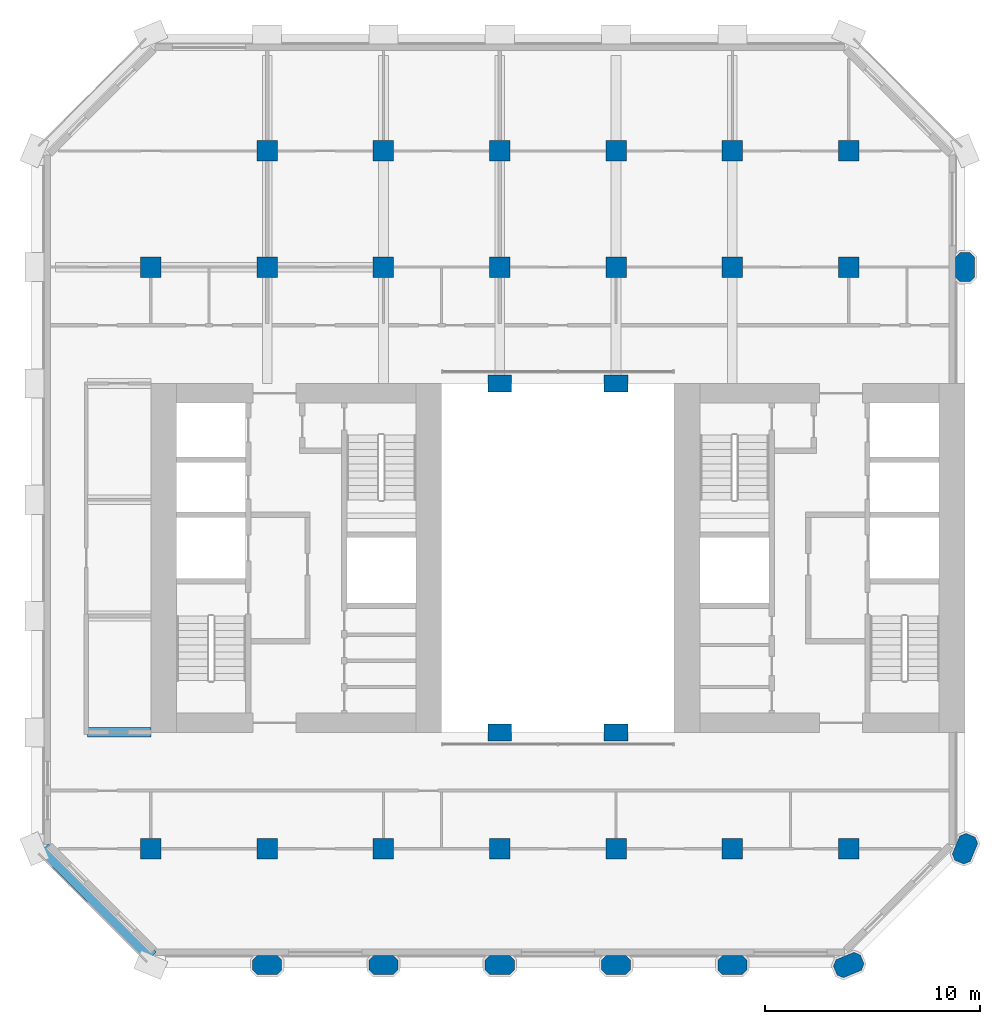
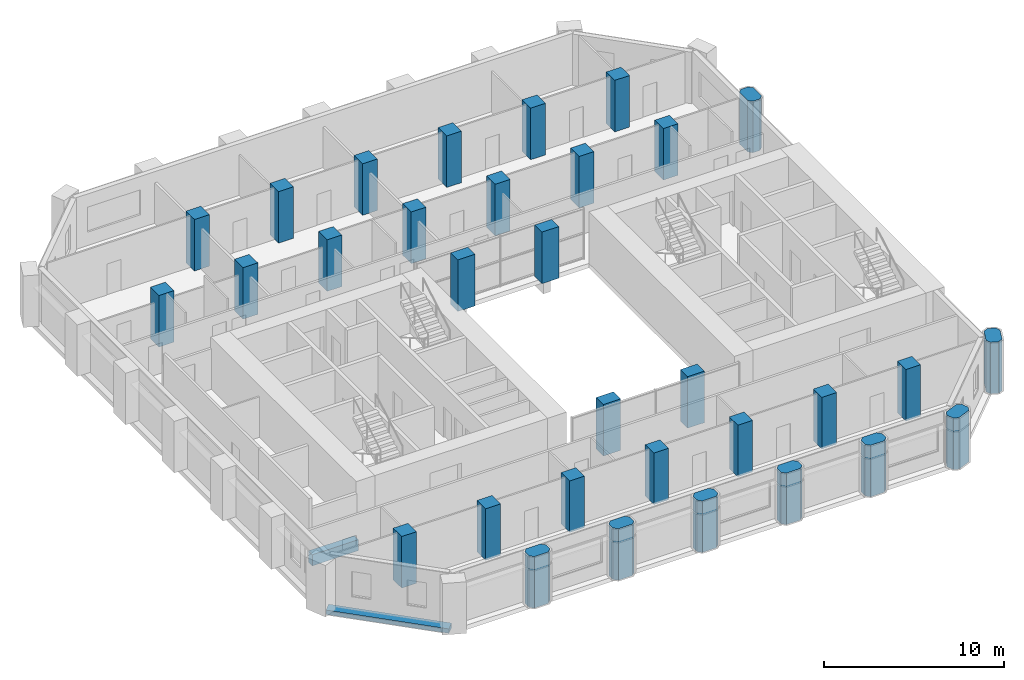
# One storey, part 1 of 12: 32 columns, 2 beams.
"""IFC4 building model written with IfcOpenShell, lengths in metres."""

from ifc_helpers import new_model, si_unit, direction, frame, origin, origin_2d, place, context, subcontext, project, spatial, polyline, rectangle, outline, extrude, material, material_profile, profile_set, type_object, element, save


model = new_model("IFC4")

# Units and contexts
model_context = context("Model", 3, precision=1e-05, world=origin(), true_north=direction((0.0, 1.0)))
body_context = subcontext(model_context, "Body", "Model", "MODEL_VIEW")
ifc_project = project(units=[si_unit("LENGTHUNIT", "METRE"), si_unit("AREAUNIT", "SQUARE_METRE"), si_unit("VOLUMEUNIT", "CUBIC_METRE"), si_unit("PLANEANGLEUNIT", "RADIAN"), si_unit("MASSUNIT", "GRAM", prefix="KILO")], contexts=[model_context])

# Site, building, storey
site_placement = place(None, origin())
site = spatial("IfcSite", under=ifc_project, at=site_placement, CompositionType="ELEMENT")
building_placement = place(site_placement, origin())
building = spatial("IfcBuilding", under=site, at=building_placement, Name="Tabaq Tower and Sports Hall", CompositionType="ELEMENT")
storey_placement = place(building_placement, frame((0.0, 0.0, 99.199951171875)))
storey = spatial("IfcBuildingStorey", under=building, at=storey_placement, Name="L23", CompositionType="ELEMENT", Elevation=99.199951171875)

# Columns
ifc_material_1 = material(Name="Concrete C60/75", Category="concrete")
ifc_material_profile_1 = material_profile(ifc_material_1, rectangle(XDim=1.10009765625, YDim=0.800048828125, at=origin_2d()), Name="ATRIUM COLUMN 1100x800")
ifc_profile_set_1 = profile_set([ifc_material_profile_1], Name="Concrete C60/75")
column_type_1 = type_object("IfcColumnType", Name="RC COLUMN ATRIUM COLUMN 1100x800 C60/75", PredefinedType="COLUMN", material=ifc_profile_set_1)
for number, where, z_axis, x_axis, name in (
    (1, (21.60009765625, 16.199951171875, 0.0), (0.0, 0.0, 1.0), (1.0, 0.0, 0.0), "Atrium Column 5/D L23"),
    (2, (27.0, 16.199951171875, 0.0), (0.0, 0.0, 1.0), (1.0, 0.0, 0.0), "Atrium Column 6/D L23"),
    (3, (21.60009765625, 32.39990234375, 0.0), (0.0, 0.0, 1.0), (1.0, 0.0, 0.0), "Atrium Column 5/G L23"),
    (4, (27.0, 32.39990234375, 0.0), (0.0, 0.0, 1.0), (1.0, 0.0, 0.0), "Atrium Column 6/G L23"),
):
    element("IfcColumn", number, at=place(storey_placement, frame(where, z_axis=z_axis, x_axis=x_axis)), inside=storey, type_object=column_type_1, Name=name, PredefinedType="COLUMN", context=body_context, shape_type="SweptSolid", body=[
        extrude(rectangle(XDim=1.10009765625, YDim=0.800048828125, at=origin_2d()), origin(), (0.0, 0.0, 1.0), 3.5),
    ])
ifc_material_2 = material(Name="Concrete C60/75", Category="concrete")
ifc_material_profile_2 = material_profile(ifc_material_2, rectangle(XDim=0.949951171875, YDim=0.949951171875, at=origin_2d()), Name="COLUMN 950x950")
ifc_profile_set_2 = profile_set([ifc_material_profile_2], Name="Concrete C60/75")
column_type_2 = type_object("IfcColumnType", Name="RC COLUMN COLUMN 950x950 C60/75", PredefinedType="COLUMN", material=ifc_profile_set_2)
for number, where, z_axis, x_axis, name in (
    (5, (5.39990234375, 10.800048828125, 0.0), (0.0, 0.0, 1.0), (1.0, 0.0, 0.0), "Column 2/C L23"),
    (6, (10.800048828125, 10.800048828125, 0.0), (0.0, 0.0, 1.0), (1.0, 0.0, 0.0), "Column 3/C L23"),
    (7, (16.199951171875, 10.800048828125, 0.0), (0.0, 0.0, 1.0), (1.0, 0.0, 0.0), "Column 4/C L23"),
    (8, (21.60009765625, 10.800048828125, 0.0), (0.0, 0.0, 1.0), (1.0, 0.0, 0.0), "Column 5/C L23"),
    (9, (27.0, 10.800048828125, 0.0), (0.0, 0.0, 1.0), (1.0, 0.0, 0.0), "Column 6/C L23"),
    (10, (32.39990234375, 10.800048828125, 0.0), (0.0, 0.0, 1.0), (1.0, 0.0, 0.0), "Column 7/C L23"),
    (11, (37.800048828125, 10.800048828125, 0.0), (0.0, 0.0, 1.0), (1.0, 0.0, 0.0), "Column 8/C L23"),
    (12, (5.39990234375, 37.800048828125, 0.0), (0.0, 0.0, 1.0), (1.0, 0.0, 0.0), "Column 2/H L23"),
    (13, (10.800048828125, 37.800048828125, 0.0), (0.0, 0.0, 1.0), (1.0, 0.0, 0.0), "Column 3/H L23"),
    (14, (16.199951171875, 37.800048828125, 0.0), (0.0, 0.0, 1.0), (1.0, 0.0, 0.0), "Column 4/H L23"),
    (15, (21.60009765625, 37.800048828125, 0.0), (0.0, 0.0, 1.0), (1.0, 0.0, 0.0), "Column 5/H L23"),
    (16, (27.0, 37.800048828125, 0.0), (0.0, 0.0, 1.0), (1.0, 0.0, 0.0), "Column 6/H L23"),
    (17, (32.39990234375, 37.800048828125, 0.0), (0.0, 0.0, 1.0), (1.0, 0.0, 0.0), "Column 7/H L23"),
    (18, (37.800048828125, 37.800048828125, 0.0), (0.0, 0.0, 1.0), (1.0, 0.0, 0.0), "Column 8/H L23"),
    (19, (10.800048828125, 43.199951171875, 0.0), (0.0, 0.0, 1.0), (1.0, 0.0, 0.0), "Column 3/I L23"),
    (20, (16.199951171875, 43.199951171875, 0.0), (0.0, 0.0, 1.0), (1.0, 0.0, 0.0), "Column 4/I L23"),
    (21, (21.60009765625, 43.199951171875, 0.0), (0.0, 0.0, 1.0), (1.0, 0.0, 0.0), "Column 5/I L23"),
    (22, (27.0, 43.199951171875, 0.0), (0.0, 0.0, 1.0), (1.0, 0.0, 0.0), "Column 6/I L23"),
    (23, (32.39990234375, 43.199951171875, 0.0), (0.0, 0.0, 1.0), (1.0, 0.0, 0.0), "Column 7/I L23"),
    (24, (37.800048828125, 43.199951171875, 0.0), (0.0, 0.0, 1.0), (1.0, 0.0, 0.0), "Column 8/I L23"),
):
    element("IfcColumn", number, at=place(storey_placement, frame(where, z_axis=z_axis, x_axis=x_axis)), inside=storey, type_object=column_type_2, Name=name, PredefinedType="COLUMN", context=body_context, shape_type="SweptSolid", body=[
        extrude(rectangle(XDim=0.949951171875, YDim=0.949951171875, at=origin_2d()), origin(), (0.0, 0.0, 1.0), 3.5),
    ])
ifc_material_3 = material(Name="Concrete C60/75", Category="concrete")
ifc_material_profile_3 = material_profile(ifc_material_3, outline(polyline([(-0.449951171875, -0.449951171875), (0.449951171875, -0.449951171875), (0.675048828125, -0.22509765625), (0.675048828125, 0.22509765625), (0.449951171875, 0.449951171875), (-0.449951171875, 0.449951171875), (-0.675048828125, 0.22509765625), (-0.675048828125, -0.22509765625), (-0.449951171875, -0.449951171875)])), Name="PIER 1350x900")
ifc_profile_set_3 = profile_set([ifc_material_profile_3], Name="Concrete C60/75")
column_type_3 = type_object("IfcColumnType", Name="RC COLUMN PIER 1350x900 C60/75", PredefinedType="COLUMN", material=ifc_profile_set_3)
for number, where, z_axis, x_axis, name in (
    (25, (10.800048828125, 5.39990234375, 0.0), (0.0, 0.0, 1.0), (1.0, 0.0, 0.0), "Pier 3/B L23"),
    (26, (16.199951171875, 5.39990234375, 0.0), (0.0, 0.0, 1.0), (1.0, 0.0, 0.0), "Pier 4/B L23"),
    (27, (21.60009765625, 5.39990234375, 0.0), (0.0, 0.0, 1.0), (1.0, 0.0, 0.0), "Pier 5/B L23"),
    (28, (27.0, 5.39990234375, 0.0), (0.0, 0.0, 1.0), (1.0, 0.0, 0.0), "Pier 6/B L23"),
    (29, (32.39990234375, 5.39990234375, 0.0), (0.0, 0.0, 1.0), (1.0, 0.0, 0.0), "Pier 7/B L23"),
    (30, (37.800048828125, 5.39990234375, 0.0), (0.0, 0.0, 1.0), (0.923879532511, 0.382683432365, 0.0), "Pier 8/B L23"),
    (31, (43.199951171875, 10.800048828125, 0.0), (0.0, 0.0, 1.0), (0.382683432365, 0.923879532511, 0.0), "Pier 9/C L23"),
    (32, (43.199951171875, 37.800048828125, 0.0), (0.0, 0.0, 1.0), (0.0, 1.0, 0.0), "Pier 9/H L23"),
):
    element("IfcColumn", number, at=place(storey_placement, frame(where, z_axis=z_axis, x_axis=x_axis)), inside=storey, type_object=column_type_3, Name=name, PredefinedType="COLUMN", context=body_context, shape_type="SweptSolid", body=[
        extrude(outline(polyline([(-0.449951171875, -0.449951171875), (0.449951171875, -0.449951171875), (0.675048828125, -0.22509765625), (0.675048828125, 0.22509765625), (0.449951171875, 0.449951171875), (-0.449951171875, 0.449951171875), (-0.675048828125, 0.22509765625), (-0.675048828125, -0.22509765625), (-0.449951171875, -0.449951171875)])), origin(), (0.0, 0.0, 1.0), 3.5),
    ])

# Beams
ifc_material_4 = material(Name="Concrete C40/50", Category="concrete")
ifc_material_profile_4 = material_profile(ifc_material_4, rectangle(XDim=0.449951171875, YDim=0.75, at=origin_2d()), Name="CB 450x750")
ifc_profile_set_4 = profile_set([ifc_material_profile_4], Name="Concrete C40/50")
beam_type_1 = type_object("IfcBeamType", Name="PT CANTILEVER BEAM CB 450x750 C40/50", PredefinedType="BEAM", material=ifc_profile_set_4)
beam_1_placement = place(storey_placement, frame((2.449951171875, 16.199951171875, -0.675048828125), z_axis=(1.0, 0.0, 0.0), x_axis=(0.0, 1.0, 0.0)))
element("IfcBeam", 33, at=beam_1_placement, inside=storey, type_object=beam_type_1, Name="Cantilever Beam L23 W3 span 1", PredefinedType="BEAM", context=body_context, shape_type="SweptSolid", body=[
    extrude(rectangle(XDim=0.449951171875, YDim=0.75, at=origin_2d()), origin(), (0.0, 0.0, 1.0), 2.949951171875),
])
ifc_material_5 = material(Name="Concrete C40/50", Category="concrete")
ifc_material_profile_5 = material_profile(ifc_material_5, rectangle(XDim=0.60009765625, YDim=0.300048828125, at=origin_2d()), Name="EB 600x300")
ifc_profile_set_5 = profile_set([ifc_material_profile_5], Name="Concrete C40/50")
beam_type_2 = type_object("IfcBeamType", Name="PT EDGE BEAM EB 600x300 C40/50", PredefinedType="SPANDREL", material=ifc_profile_set_5)
beam_2_placement = place(storey_placement, frame((0.42333984375, 10.801025390625, -0.14990234375), z_axis=(0.707089559252, -0.707124002701, 0.0), x_axis=(0.707124002701, 0.707089559252, 0.0)))
element("IfcBeam", 34, at=beam_2_placement, inside=storey, type_object=beam_type_2, Name="Edge Beam L23 5", PredefinedType="SPANDREL", context=body_context, shape_type="SweptSolid", body=[
    extrude(rectangle(XDim=0.60009765625, YDim=0.300048828125, at=origin_2d()), origin(), (0.0, 0.0, 1.0), 7.088134765625),
])

save(model, "model.ifc")
